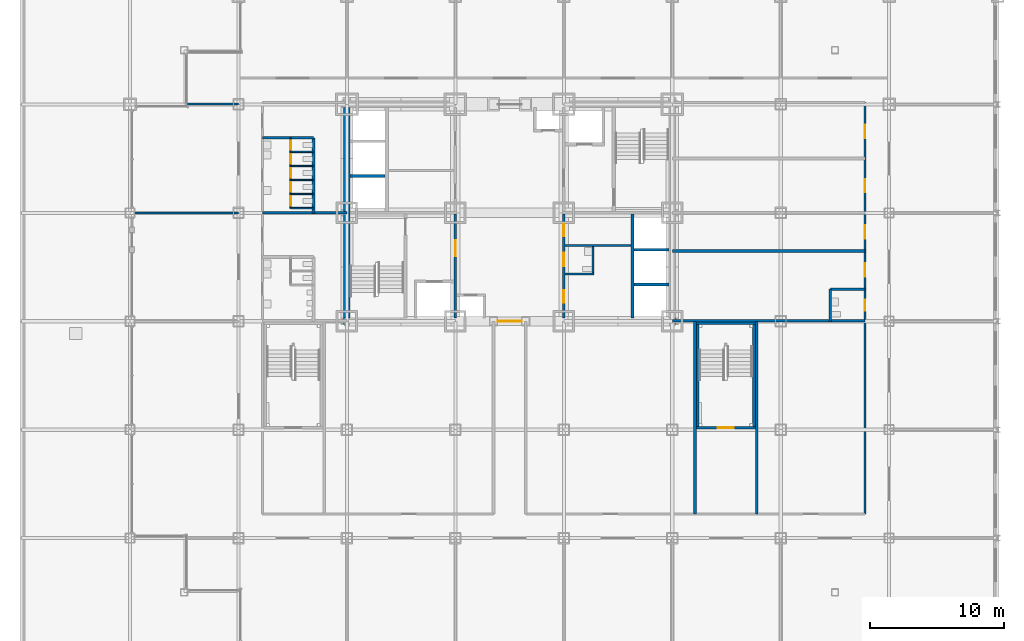
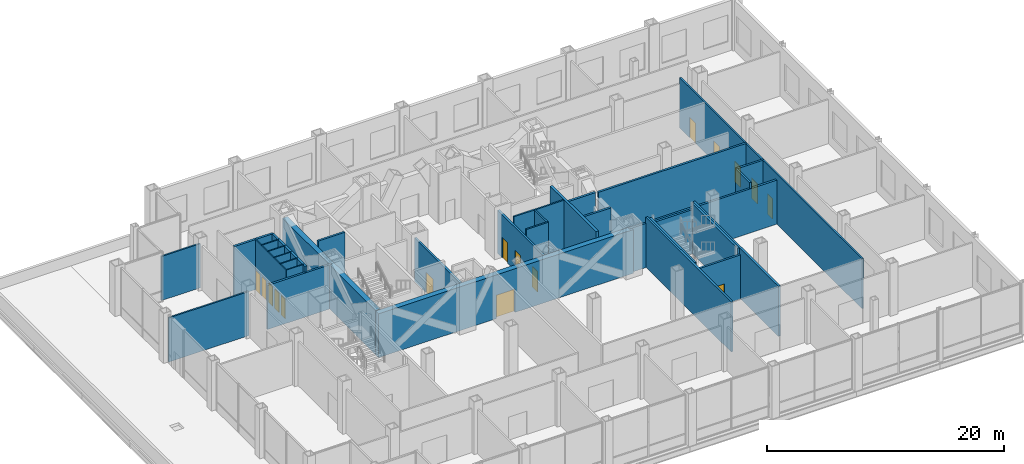
# One storey, part 20 of 26: 33 walls, 16 doors, 16 openings.
"""IFC4 building model written with IfcOpenShell, lengths in metres."""

from ifc_helpers import new_model, si_unit, direction, frame, frame_2d, origin, place, context, subcontext, project, spatial, rectangle, extrude, material, layer, layer_set, type_object, element, fill, save


model = new_model("IFC4")

# Units and contexts
model_context = context("Model", 3, precision=1e-05, world=origin(), true_north=direction((0.0, 1.0)))
body_context = subcontext(model_context, "Body", "Model", "MODEL_VIEW")
ifc_project = project(units=[si_unit("LENGTHUNIT", "METRE"), si_unit("AREAUNIT", "SQUARE_METRE"), si_unit("VOLUMEUNIT", "CUBIC_METRE"), si_unit("PLANEANGLEUNIT", "RADIAN"), si_unit("MASSUNIT", "GRAM", prefix="KILO")], contexts=[model_context])

# Site, building, storey
site_placement = place(None, origin())
site = spatial("IfcSite", under=ifc_project, at=site_placement, CompositionType="ELEMENT")
building_placement = place(site_placement, origin())
building = spatial("IfcBuilding", under=site, at=building_placement, Name="Kopane Lantern Tower", CompositionType="ELEMENT")
storey_placement = place(building_placement, frame((0.0, 0.0, 16.800048828125)))
storey = spatial("IfcBuildingStorey", under=building, at=storey_placement, Name="L03", CompositionType="ELEMENT", Elevation=16.800048828125)

# Wall, openings, doors
ifc_material_1 = material(Name="Moisture-resistant board on steel studs", Category="steel")
ifc_layer_1 = layer(ifc_material_1, 0.10009765625)
ifc_layer_set_1 = layer_set([ifc_layer_1], Name="BATHROOM WALL 100")
wall_type_1 = type_object("IfcWallType", Name="BATHROOM WALL 100", PredefinedType="PARTITIONING", material=ifc_layer_set_1)
wall_1_placement = place(storey_placement, frame((12.0, 32.75, 0.0), z_axis=(0.0, 0.0, 1.0), x_axis=(0.0, 1.0, 0.0)))
wall_1 = element("IfcWall", 1, at=wall_1_placement, inside=storey, type_object=wall_type_1, Name="Bathroom Wall 100 L03", PredefinedType="PARTITIONING", context=body_context, shape_type="SweptSolid", body=[
    extrude(rectangle(XDim=5.25, YDim=0.10009765625, at=frame_2d((2.625, 0.0))), origin(), (0.0, 0.0, 1.0), 5.14990234375),
])
opening_1_placement = place(wall_1_placement, frame((0.175048828125, 0.0, 0.0)))
opening_1 = element("IfcOpeningElement", 2, at=opening_1_placement, cuts=wall_1, Name="Opening L03-034", PredefinedType="OPENING", context=body_context, shape_type="SweptSolid", body=[
    extrude(rectangle(XDim=0.699951171875, YDim=2.0, at=frame_2d((0.35009765625, 1.0))), frame((0.0, 0.06005859375, 0.0), z_axis=(0.0, -1.0, 0.0), x_axis=(1.0, 0.0, 0.0)), (0.0, 0.0, 1.0), 0.1201171875),
])
opening_2_placement = place(wall_1_placement, frame((1.22509765625, 0.0, 0.0)))
opening_2 = element("IfcOpeningElement", 3, at=opening_2_placement, cuts=wall_1, Name="Opening L03-035", PredefinedType="OPENING", context=body_context, shape_type="SweptSolid", body=[
    extrude(rectangle(XDim=0.699951171875, YDim=2.0, at=frame_2d((0.35009765625, 1.0))), frame((0.0, 0.06005859375, 0.0), z_axis=(0.0, -1.0, 0.0), x_axis=(1.0, 0.0, 0.0)), (0.0, 0.0, 1.0), 0.1201171875),
])
opening_3_placement = place(wall_1_placement, frame((2.27490234375, 0.0, 0.0)))
opening_3 = element("IfcOpeningElement", 4, at=opening_3_placement, cuts=wall_1, Name="Opening L03-036", PredefinedType="OPENING", context=body_context, shape_type="SweptSolid", body=[
    extrude(rectangle(XDim=0.699951171875, YDim=2.0, at=frame_2d((0.35009765625, 1.0))), frame((0.0, 0.06005859375, 0.0), z_axis=(0.0, -1.0, 0.0), x_axis=(1.0, 0.0, 0.0)), (0.0, 0.0, 1.0), 0.1201171875),
])
opening_4_placement = place(wall_1_placement, frame((3.324951171875, 0.0, 0.0)))
opening_4 = element("IfcOpeningElement", 5, at=opening_4_placement, cuts=wall_1, Name="Opening L03-037", PredefinedType="OPENING", context=body_context, shape_type="SweptSolid", body=[
    extrude(rectangle(XDim=0.699951171875, YDim=2.0, at=frame_2d((0.35009765625, 1.0))), frame((0.0, 0.06005859375, 0.0), z_axis=(0.0, -1.0, 0.0), x_axis=(1.0, 0.0, 0.0)), (0.0, 0.0, 1.0), 0.1201171875),
])
opening_5_placement = place(wall_1_placement, frame((4.35009765625, 0.0, 0.0)))
opening_5 = element("IfcOpeningElement", 6, at=opening_5_placement, cuts=wall_1, Name="Opening L03-038", PredefinedType="OPENING", context=body_context, shape_type="SweptSolid", body=[
    extrude(rectangle(XDim=0.699951171875, YDim=2.0, at=frame_2d((0.35009765625, 1.0))), frame((0.0, 0.06005859375, 0.0), z_axis=(0.0, -1.0, 0.0), x_axis=(1.0, 0.0, 0.0)), (0.0, 0.0, 1.0), 0.1201171875),
])
ifc_material_2 = material(Name="Timber door set", Category="wood")
door_type_1 = type_object("IfcDoorType", Name="DOOR D13 700x2000 WC CUBICLE", OperationType="SINGLE_SWING_LEFT", PredefinedType="DOOR", material=ifc_material_2)
door_1_placement = place(opening_1_placement, origin())
door_1 = element("IfcDoor", 7, at=door_1_placement, inside=storey, type_object=door_type_1, Name="Door L03-034", OperationType="SINGLE_SWING_LEFT", OverallHeight=2.0, OverallWidth=0.699951171875, PredefinedType="DOOR", context=body_context, shape_type="SweptSolid", body=[
    extrude(rectangle(XDim=0.699951171875, YDim=2.0, at=frame_2d((0.35009765625, 1.0))), frame((0.0, 0.02490234375, 0.0), z_axis=(0.0, -1.0, 0.0), x_axis=(1.0, 0.0, 0.0)), (0.0, 0.0, 1.0), 0.050048828125),
])
fill(opening_1, door_1)
door_2_placement = place(opening_2_placement, origin())
door_2 = element("IfcDoor", 8, at=door_2_placement, inside=storey, type_object=door_type_1, Name="Door L03-035", OperationType="SINGLE_SWING_RIGHT", OverallHeight=2.0, OverallWidth=0.699951171875, PredefinedType="DOOR", context=body_context, shape_type="SweptSolid", body=[
    extrude(rectangle(XDim=0.699951171875, YDim=2.0, at=frame_2d((0.35009765625, 1.0))), frame((0.0, 0.02490234375, 0.0), z_axis=(0.0, -1.0, 0.0), x_axis=(1.0, 0.0, 0.0)), (0.0, 0.0, 1.0), 0.050048828125),
])
fill(opening_2, door_2)
door_3_placement = place(opening_3_placement, origin())
door_3 = element("IfcDoor", 9, at=door_3_placement, inside=storey, type_object=door_type_1, Name="Door L03-036", OperationType="SINGLE_SWING_LEFT", OverallHeight=2.0, OverallWidth=0.699951171875, PredefinedType="DOOR", context=body_context, shape_type="SweptSolid", body=[
    extrude(rectangle(XDim=0.699951171875, YDim=2.0, at=frame_2d((0.35009765625, 1.0))), frame((0.0, 0.02490234375, 0.0), z_axis=(0.0, -1.0, 0.0), x_axis=(1.0, 0.0, 0.0)), (0.0, 0.0, 1.0), 0.050048828125),
])
fill(opening_3, door_3)
door_4_placement = place(opening_4_placement, origin())
door_4 = element("IfcDoor", 10, at=door_4_placement, inside=storey, type_object=door_type_1, Name="Door L03-037", OperationType="SINGLE_SWING_RIGHT", OverallHeight=2.0, OverallWidth=0.699951171875, PredefinedType="DOOR", context=body_context, shape_type="SweptSolid", body=[
    extrude(rectangle(XDim=0.699951171875, YDim=2.0, at=frame_2d((0.35009765625, 1.0))), frame((0.0, 0.02490234375, 0.0), z_axis=(0.0, -1.0, 0.0), x_axis=(1.0, 0.0, 0.0)), (0.0, 0.0, 1.0), 0.050048828125),
])
fill(opening_4, door_4)
door_5_placement = place(opening_5_placement, origin())
door_5 = element("IfcDoor", 11, at=door_5_placement, inside=storey, type_object=door_type_1, Name="Door L03-038", OperationType="SINGLE_SWING_LEFT", OverallHeight=2.0, OverallWidth=0.699951171875, PredefinedType="DOOR", context=body_context, shape_type="SweptSolid", body=[
    extrude(rectangle(XDim=0.699951171875, YDim=2.0, at=frame_2d((0.35009765625, 1.0))), frame((0.0, 0.02490234375, 0.0), z_axis=(0.0, -1.0, 0.0), x_axis=(1.0, 0.0, 0.0)), (0.0, 0.0, 1.0), 0.050048828125),
])
fill(opening_5, door_5)

# Walls
for number, where, z_axis, x_axis, name in (
    (12, (12.0, 32.75, 0.0), (0.0, 0.0, 1.0), (1.0, 0.0, 0.0), "Bathroom Wall 100 L03"),
    (13, (12.0, 33.800048828125, 0.0), (0.0, 0.0, 1.0), (1.0, 0.0, 0.0), "Bathroom Wall 100 L03"),
    (14, (12.0, 34.85009765625, 0.0), (0.0, 0.0, 1.0), (1.0, 0.0, 0.0), "Bathroom Wall 100 L03"),
    (15, (12.0, 35.89990234375, 0.0), (0.0, 0.0, 1.0), (1.0, 0.0, 0.0), "Bathroom Wall 100 L03"),
    (16, (12.0, 36.949951171875, 0.0), (0.0, 0.0, 1.0), (1.0, 0.0, 0.0), "Bathroom Wall 100 L03"),
):
    element("IfcWall", number, at=place(storey_placement, frame(where, z_axis=z_axis, x_axis=x_axis)), inside=storey, type_object=wall_type_1, Name=name, PredefinedType="PARTITIONING", context=body_context, shape_type="SweptSolid", body=[
        extrude(rectangle(XDim=1.699951171875, YDim=0.10009765625, at=frame_2d((0.85009765625, 0.0))), origin(), (0.0, 0.0, 1.0), 5.14990234375),
    ])

# Wall, opening, door
ifc_material_3 = material(Name="Gypsum shaft wall EI 120", Category="gypsum")
ifc_layer_2 = layer(ifc_material_3, 0.5)
ifc_layer_set_2 = layer_set([ifc_layer_2], Name="CORE PERIMETER WALL 500 EI 120")
wall_type_2 = type_object("IfcWallType", Name="CORE PERIMETER WALL 500 EI 120", PredefinedType="SOLIDWALL", material=ifc_layer_set_2)
wall_2_placement = place(storey_placement, frame((15.949951171875, 24.300048828125, 0.0), z_axis=(0.0, 0.0, 1.0), x_axis=(1.0, 0.0, 0.0)))
wall_2 = element("IfcWall", 17, at=wall_2_placement, inside=storey, type_object=wall_type_2, Name="Core shaft wall L03 PS", PredefinedType="SOLIDWALL", context=body_context, shape_type="SweptSolid", body=[
    extrude(rectangle(XDim=24.800048828125, YDim=0.5, at=frame_2d((12.39990234375, 0.0))), origin(), (0.0, 0.0, 1.0), 4.5),
])
opening_6_placement = place(wall_2_placement, frame((11.5, 0.0, 0.0)))
opening_6 = element("IfcOpeningElement", 18, at=opening_6_placement, cuts=wall_2, Name="Opening 03.CE-S", PredefinedType="OPENING", context=body_context, shape_type="SweptSolid", body=[
    extrude(rectangle(XDim=1.800048828125, YDim=2.39990234375, at=frame_2d((0.89990234375, 1.199951171875))), frame((0.0, 0.260009765625, 0.0), z_axis=(0.0, -1.0, 0.0), x_axis=(1.0, 0.0, 0.0)), (0.0, 0.0, 1.0), 0.52001953125),
])
ifc_material_4 = material(Name="Steel door set", Category="steel")
door_type_2 = type_object("IfcDoorType", Name="CORE ENTRY DOOR 1800x2400 FD60S", OperationType="DOUBLE_DOOR_SINGLE_SWING", PredefinedType="DOOR", material=ifc_material_4)
door_6_placement = place(opening_6_placement, origin())
door_6 = element("IfcDoor", 19, at=door_6_placement, inside=storey, type_object=door_type_2, Name="Core entry door L03 south", OperationType="DOUBLE_DOOR_SINGLE_SWING", OverallHeight=2.39990234375, OverallWidth=1.800048828125, PredefinedType="DOOR", context=body_context, shape_type="SweptSolid", body=[
    extrude(rectangle(XDim=1.800048828125, YDim=2.39990234375, at=frame_2d((0.89990234375, 1.199951171875))), frame((0.0, 0.02490234375, 0.0), z_axis=(0.0, -1.0, 0.0), x_axis=(1.0, 0.0, 0.0)), (0.0, 0.0, 1.0), 0.050048828125),
])
fill(opening_6, door_6)

# Walls
wall_3_placement = place(storey_placement, frame((16.199951171875, 24.550048828125, 0.0), z_axis=(0.0, 0.0, 1.0), x_axis=(0.0, 1.0, 0.0)))
element("IfcWall", 20, at=wall_3_placement, inside=storey, type_object=wall_type_2, Name="Core shaft wall L03 PW", PredefinedType="SOLIDWALL", context=body_context, shape_type="SweptSolid", body=[
    extrude(rectangle(XDim=15.699951171875, YDim=0.5, at=frame_2d((7.85009765625, 0.0))), origin(), (0.0, 0.0, 1.0), 4.537841796875),
])
ifc_material_5 = material(Name="Gypsum partition EI 60", Category="gypsum")
ifc_layer_3 = layer(ifc_material_5, 0.14990234375)
ifc_layer_set_3 = layer_set([ifc_layer_3], Name="CORE ROOM PARTITION 150 EI 60")
wall_type_3 = type_object("IfcWallType", Name="CORE ROOM PARTITION 150 EI 60", PredefinedType="PARTITIONING", material=ifc_layer_set_3)
wall_4_placement = place(storey_placement, frame((32.5, 27.824951171875, 0.0), z_axis=(0.0, 0.0, 1.0), x_axis=(1.0, 0.0, 0.0)))
element("IfcWall", 21, at=wall_4_placement, inside=storey, type_object=wall_type_3, Name="Core room partition L03 E1", PredefinedType="PARTITIONING", context=body_context, shape_type="SweptSolid", body=[
    extrude(rectangle(XDim=2.14990234375, YDim=0.14990234375, at=frame_2d((1.074951171875, 0.0))), origin(), (0.0, 0.0, 1.0), 5.14990234375),
])
wall_5_placement = place(storey_placement, frame((32.5, 29.97509765625, 0.0), z_axis=(0.0, 0.0, 1.0), x_axis=(1.0, 0.0, 0.0)))
element("IfcWall", 22, at=wall_5_placement, inside=storey, type_object=wall_type_3, Name="Core room partition L03 E2", PredefinedType="PARTITIONING", context=body_context, shape_type="SweptSolid", body=[
    extrude(rectangle(XDim=4.89990234375, YDim=0.14990234375, at=frame_2d((2.449951171875, 0.0))), origin(), (0.0, 0.0, 1.0), 5.14990234375),
])
wall_6_placement = place(storey_placement, frame((34.574951171875, 27.89990234375, 0.0), z_axis=(0.0, 0.0, 1.0), x_axis=(0.0, 1.0, 0.0)))
element("IfcWall", 23, at=wall_6_placement, inside=storey, type_object=wall_type_3, Name="Core room partition L03 EB1", PredefinedType="PARTITIONING", context=body_context, shape_type="SweptSolid", body=[
    extrude(rectangle(XDim=2.0, YDim=0.14990234375, at=frame_2d((1.0, 0.0))), origin(), (0.0, 0.0, 1.0), 5.14990234375),
])

# Wall, openings, doors
ifc_material_6 = material(Name="Gypsum partition EI 60", Category="gypsum")
ifc_layer_4 = layer(ifc_material_6, 0.199951171875)
ifc_layer_set_4 = layer_set([ifc_layer_4], Name="CORE ROOM WALL 200 EI 60")
wall_type_4 = type_object("IfcWallType", Name="CORE ROOM WALL 200 EI 60", PredefinedType="PARTITIONING", material=ifc_layer_set_4)
wall_7_placement = place(storey_placement, frame((32.39990234375, 24.550048828125, 0.0), z_axis=(0.0, 0.0, 1.0), x_axis=(0.0, 1.0, 0.0)))
wall_7 = element("IfcWall", 24, at=wall_7_placement, inside=storey, type_object=wall_type_4, Name="Core room wall L03 XE", PredefinedType="PARTITIONING", context=body_context, shape_type="SweptSolid", body=[
    extrude(rectangle(XDim=7.75, YDim=0.199951171875, at=frame_2d((3.875, 0.0))), origin(), (0.0, 0.0, 1.0), 4.449951171875),
])
opening_7_placement = place(wall_7_placement, frame((1.14990234375, 0.0, 0.0)))
opening_7 = element("IfcOpeningElement", 25, at=opening_7_placement, cuts=wall_7, Name="Opening 03.C20", PredefinedType="OPENING", context=body_context, shape_type="SweptSolid", body=[
    extrude(rectangle(XDim=0.89990234375, YDim=2.10009765625, at=frame_2d((0.449951171875, 1.050048828125))), frame((0.0, 0.10986328125, 0.0), z_axis=(0.0, -1.0, 0.0), x_axis=(1.0, 0.0, 0.0)), (0.0, 0.0, 1.0), 0.219970703125),
])
opening_8_placement = place(wall_7_placement, frame((3.85009765625, 0.0, 0.0)))
opening_8 = element("IfcOpeningElement", 26, at=opening_8_placement, cuts=wall_7, Name="Opening 03.C21", PredefinedType="OPENING", context=body_context, shape_type="SweptSolid", body=[
    extrude(rectangle(XDim=1.0, YDim=2.10009765625, at=frame_2d((0.5, 1.050048828125))), frame((0.0, 0.10986328125, 0.0), z_axis=(0.0, -1.0, 0.0), x_axis=(1.0, 0.0, 0.0)), (0.0, 0.0, 1.0), 0.219970703125),
])
opening_9_placement = place(wall_7_placement, frame((6.10009765625, 0.0, 0.0)))
opening_9 = element("IfcOpeningElement", 27, at=opening_9_placement, cuts=wall_7, Name="Opening 03.C22", PredefinedType="OPENING", context=body_context, shape_type="SweptSolid", body=[
    extrude(rectangle(XDim=0.89990234375, YDim=2.10009765625, at=frame_2d((0.449951171875, 1.050048828125))), frame((0.0, 0.10986328125, 0.0), z_axis=(0.0, -1.0, 0.0), x_axis=(1.0, 0.0, 0.0)), (0.0, 0.0, 1.0), 0.219970703125),
])
ifc_material_7 = material(Name="Steel door set", Category="steel")
door_type_3 = type_object("IfcDoorType", Name="CORE ROOM DOOR 1000x2100 FD30S", OperationType="SINGLE_SWING_RIGHT", PredefinedType="DOOR", material=ifc_material_7)
door_7_placement = place(opening_8_placement, origin())
door_7 = element("IfcDoor", 28, at=door_7_placement, inside=storey, type_object=door_type_3, Name="Door Staff WC L03", OperationType="SINGLE_SWING_LEFT", OverallHeight=2.10009765625, OverallWidth=1.0, PredefinedType="DOOR", context=body_context, shape_type="SweptSolid", body=[
    extrude(rectangle(XDim=1.0, YDim=2.10009765625, at=frame_2d((0.5, 1.050048828125))), frame((0.0, 0.02490234375, 0.0), z_axis=(0.0, -1.0, 0.0), x_axis=(1.0, 0.0, 0.0)), (0.0, 0.0, 1.0), 0.050048828125),
])
fill(opening_8, door_7)
ifc_material_8 = material(Name="Steel door set", Category="steel")
door_type_4 = type_object("IfcDoorType", Name="CORE ROOM DOOR 900x2100 FD60", OperationType="SINGLE_SWING_LEFT", PredefinedType="DOOR", material=ifc_material_8)
door_8_placement = place(opening_7_placement, origin())
door_8 = element("IfcDoor", 29, at=door_8_placement, inside=storey, type_object=door_type_4, Name="Door Retail store L03", OperationType="SINGLE_SWING_LEFT", OverallHeight=2.10009765625, OverallWidth=0.89990234375, PredefinedType="DOOR", context=body_context, shape_type="SweptSolid", body=[
    extrude(rectangle(XDim=0.89990234375, YDim=2.10009765625, at=frame_2d((0.449951171875, 1.050048828125))), frame((0.0, 0.02490234375, 0.0), z_axis=(0.0, -1.0, 0.0), x_axis=(1.0, 0.0, 0.0)), (0.0, 0.0, 1.0), 0.050048828125),
])
fill(opening_7, door_8)
door_9_placement = place(opening_9_placement, origin())
door_9 = element("IfcDoor", 30, at=door_9_placement, inside=storey, type_object=door_type_4, Name="Door IT room L03", OperationType="SINGLE_SWING_RIGHT", OverallHeight=2.10009765625, OverallWidth=0.89990234375, PredefinedType="DOOR", context=body_context, shape_type="SweptSolid", body=[
    extrude(rectangle(XDim=0.89990234375, YDim=2.10009765625, at=frame_2d((0.449951171875, 1.050048828125))), frame((0.0, 0.02490234375, 0.0), z_axis=(0.0, -1.0, 0.0), x_axis=(1.0, 0.0, 0.0)), (0.0, 0.0, 1.0), 0.050048828125),
])
fill(opening_9, door_9)

# Wall
ifc_material_9 = material(Name="Gypsum shaft wall EI 120", Category="gypsum")
ifc_layer_5 = layer(ifc_material_9, 0.25)
ifc_layer_set_5 = layer_set([ifc_layer_5], Name="CORE SHAFT WALL 250 EI 120")
wall_type_5 = type_object("IfcWallType", Name="CORE SHAFT WALL 250 EI 120", PredefinedType="SOLIDWALL", material=ifc_layer_set_5)
wall_8_placement = place(storey_placement, frame((37.52490234375, 24.550048828125, 0.0), z_axis=(0.0, 0.0, 1.0), x_axis=(0.0, 1.0, 0.0)))
element("IfcWall", 31, at=wall_8_placement, inside=storey, type_object=wall_type_5, Name="Core shaft wall L03 XLR", PredefinedType="SOLIDWALL", context=body_context, shape_type="SweptSolid", body=[
    extrude(rectangle(XDim=7.75, YDim=0.25, at=frame_2d((3.875, 0.0))), origin(), (0.0, 0.0, 1.0), 5.14990234375),
])

# Wall, openings, doors
ifc_material_10 = material(Name="Gypsum board on steel studs", Category="steel")
ifc_layer_6 = layer(ifc_material_10, 0.14990234375)
ifc_layer_set_6 = layer_set([ifc_layer_6], Name="CORRIDOR WALL 150 EI 60")
wall_type_6 = type_object("IfcWallType", Name="CORRIDOR WALL 150 EI 60", PredefinedType="PARTITIONING", material=ifc_layer_set_6)
wall_9_placement = place(storey_placement, frame((54.89990234375, 9.89990234375, 0.0), z_axis=(0.0, 0.0, 1.0), x_axis=(0.0, 1.0, 0.0)))
wall_9 = element("IfcWall", 32, at=wall_9_placement, inside=storey, type_object=wall_type_6, Name="Corridor Wall 150 Ei 60 L03", PredefinedType="PARTITIONING", context=body_context, shape_type="SweptSolid", body=[
    extrude(rectangle(XDim=30.75, YDim=0.14990234375, at=frame_2d((15.375, 0.0))), origin(), (0.0, 0.0, 1.0), 5.14990234375),
])
opening_10_placement = place(wall_9_placement, frame((15.175048828125, 0.0, 0.0)))
opening_10 = element("IfcOpeningElement", 33, at=opening_10_placement, cuts=wall_9, Name="Opening L03-005", PredefinedType="OPENING", context=body_context, shape_type="SweptSolid", body=[
    extrude(rectangle(XDim=0.85009765625, YDim=2.10009765625, at=frame_2d((0.425048828125, 1.050048828125))), frame((0.0, 0.0849609375, 0.0), z_axis=(0.0, -1.0, 0.0), x_axis=(1.0, 0.0, 0.0)), (0.0, 0.0, 1.0), 0.169921875),
])
opening_11_placement = place(wall_9_placement, frame((17.72509765625, 0.0, 0.0)))
opening_11 = element("IfcOpeningElement", 34, at=opening_11_placement, cuts=wall_9, Name="Opening L03-006", PredefinedType="OPENING", context=body_context, shape_type="SweptSolid", body=[
    extrude(rectangle(XDim=1.0, YDim=2.10009765625, at=frame_2d((0.5, 1.050048828125))), frame((0.0, 0.0849609375, 0.0), z_axis=(0.0, -1.0, 0.0), x_axis=(1.0, 0.0, 0.0)), (0.0, 0.0, 1.0), 0.169921875),
])
opening_12_placement = place(wall_9_placement, frame((20.574951171875, 0.0, 0.0)))
opening_12 = element("IfcOpeningElement", 35, at=opening_12_placement, cuts=wall_9, Name="Opening L03-007", PredefinedType="OPENING", context=body_context, shape_type="SweptSolid", body=[
    extrude(rectangle(XDim=1.0, YDim=2.10009765625, at=frame_2d((0.5, 1.050048828125))), frame((0.0, 0.0849609375, 0.0), z_axis=(0.0, -1.0, 0.0), x_axis=(1.0, 0.0, 0.0)), (0.0, 0.0, 1.0), 0.169921875),
])
opening_13_placement = place(wall_9_placement, frame((24.02490234375, 0.0, 0.0)))
opening_13 = element("IfcOpeningElement", 36, at=opening_13_placement, cuts=wall_9, Name="Opening L03-008", PredefinedType="OPENING", context=body_context, shape_type="SweptSolid", body=[
    extrude(rectangle(XDim=1.0, YDim=2.10009765625, at=frame_2d((0.5, 1.050048828125))), frame((0.0, 0.0849609375, 0.0), z_axis=(0.0, -1.0, 0.0), x_axis=(1.0, 0.0, 0.0)), (0.0, 0.0, 1.0), 0.169921875),
])
opening_14_placement = place(wall_9_placement, frame((28.074951171875, 0.0, 0.0)))
opening_14 = element("IfcOpeningElement", 37, at=opening_14_placement, cuts=wall_9, Name="Opening L03-009", PredefinedType="OPENING", context=body_context, shape_type="SweptSolid", body=[
    extrude(rectangle(XDim=1.0, YDim=2.10009765625, at=frame_2d((0.5, 1.050048828125))), frame((0.0, 0.0849609375, 0.0), z_axis=(0.0, -1.0, 0.0), x_axis=(1.0, 0.0, 0.0)), (0.0, 0.0, 1.0), 0.169921875),
])
ifc_material_11 = material(Name="Timber door set", Category="wood")
door_type_5 = type_object("IfcDoorType", Name="DOOR D4 850x2100", OperationType="SINGLE_SWING_LEFT", PredefinedType="DOOR", material=ifc_material_11)
door_10_placement = place(opening_10_placement, origin())
door_10 = element("IfcDoor", 38, at=door_10_placement, inside=storey, type_object=door_type_5, Name="Door L03-005", OperationType="SINGLE_SWING_LEFT", OverallHeight=2.10009765625, OverallWidth=0.85009765625, PredefinedType="DOOR", context=body_context, shape_type="SweptSolid", body=[
    extrude(rectangle(XDim=0.85009765625, YDim=2.10009765625, at=frame_2d((0.425048828125, 1.050048828125))), frame((0.0, 0.02490234375, 0.0), z_axis=(0.0, -1.0, 0.0), x_axis=(1.0, 0.0, 0.0)), (0.0, 0.0, 1.0), 0.050048828125),
])
fill(opening_10, door_10)
ifc_material_12 = material(Name="Steel door set", Category="steel")
door_type_6 = type_object("IfcDoorType", Name="DOOR D5 1000x2100 FD60", OperationType="SINGLE_SWING_LEFT", PredefinedType="DOOR", material=ifc_material_12)
door_11_placement = place(opening_11_placement, origin())
door_11 = element("IfcDoor", 39, at=door_11_placement, inside=storey, type_object=door_type_6, Name="Door L03-006", OperationType="SINGLE_SWING_RIGHT", OverallHeight=2.10009765625, OverallWidth=1.0, PredefinedType="DOOR", context=body_context, shape_type="SweptSolid", body=[
    extrude(rectangle(XDim=1.0, YDim=2.10009765625, at=frame_2d((0.5, 1.050048828125))), frame((0.0, 0.02490234375, 0.0), z_axis=(0.0, -1.0, 0.0), x_axis=(1.0, 0.0, 0.0)), (0.0, 0.0, 1.0), 0.050048828125),
])
fill(opening_11, door_11)
door_12_placement = place(opening_12_placement, origin())
door_12 = element("IfcDoor", 40, at=door_12_placement, inside=storey, type_object=door_type_6, Name="Door L03-007", OperationType="SINGLE_SWING_LEFT", OverallHeight=2.10009765625, OverallWidth=1.0, PredefinedType="DOOR", context=body_context, shape_type="SweptSolid", body=[
    extrude(rectangle(XDim=1.0, YDim=2.10009765625, at=frame_2d((0.5, 1.050048828125))), frame((0.0, 0.02490234375, 0.0), z_axis=(0.0, -1.0, 0.0), x_axis=(1.0, 0.0, 0.0)), (0.0, 0.0, 1.0), 0.050048828125),
])
fill(opening_12, door_12)
door_13_placement = place(opening_13_placement, origin())
door_13 = element("IfcDoor", 41, at=door_13_placement, inside=storey, type_object=door_type_6, Name="Door L03-008", OperationType="SINGLE_SWING_RIGHT", OverallHeight=2.10009765625, OverallWidth=1.0, PredefinedType="DOOR", context=body_context, shape_type="SweptSolid", body=[
    extrude(rectangle(XDim=1.0, YDim=2.10009765625, at=frame_2d((0.5, 1.050048828125))), frame((0.0, 0.02490234375, 0.0), z_axis=(0.0, -1.0, 0.0), x_axis=(1.0, 0.0, 0.0)), (0.0, 0.0, 1.0), 0.050048828125),
])
fill(opening_13, door_13)
door_14_placement = place(opening_14_placement, origin())
door_14 = element("IfcDoor", 42, at=door_14_placement, inside=storey, type_object=door_type_6, Name="Door L03-009", OperationType="SINGLE_SWING_LEFT", OverallHeight=2.10009765625, OverallWidth=1.0, PredefinedType="DOOR", context=body_context, shape_type="SweptSolid", body=[
    extrude(rectangle(XDim=1.0, YDim=2.10009765625, at=frame_2d((0.5, 1.050048828125))), frame((0.0, 0.02490234375, 0.0), z_axis=(0.0, -1.0, 0.0), x_axis=(1.0, 0.0, 0.0)), (0.0, 0.0, 1.0), 0.050048828125),
])
fill(opening_14, door_14)

# Walls
ifc_material_13 = material(Name="Gypsum board on steel studs", Category="steel")
ifc_layer_7 = layer(ifc_material_13, 0.14990234375)
ifc_layer_set_7 = layer_set([ifc_layer_7], Name="DEMISING WALL 150 EI 60")
wall_type_7 = type_object("IfcWallType", Name="DEMISING WALL 150 EI 60", PredefinedType="PARTITIONING", material=ifc_layer_set_7)
wall_10_placement = place(storey_placement, frame((8.10009765625, 32.39990234375, 0.0), z_axis=(0.0, 0.0, 1.0), x_axis=(-1.0, 0.0, 0.0)))
element("IfcWall", 43, at=wall_10_placement, inside=storey, type_object=wall_type_7, Name="Demising Wall 150 Ei 60 L03", PredefinedType="PARTITIONING", context=body_context, shape_type="SweptSolid", body=[
    extrude(rectangle(XDim=7.800048828125, YDim=0.14990234375, at=frame_2d((3.89990234375, 0.0))), origin(), (0.0, 0.0, 1.0), 4.537841796875),
])
wall_11_placement = place(storey_placement, frame((4.29296875, 40.530029296875, 0.0), z_axis=(0.0, 0.0, 1.0), x_axis=(1.0, 0.0, 0.0)))
element("IfcWall", 44, at=wall_11_placement, inside=storey, type_object=wall_type_7, Name="Demising Wall 150 Ei 60 L03", PredefinedType="PARTITIONING", context=body_context, shape_type="SweptSolid", body=[
    extrude(rectangle(XDim=3.80712890625, YDim=0.14990234375, at=frame_2d((1.903564453125, 0.0))), origin(), (0.0, 0.0, 1.0), 4.537841796875),
])
ifc_material_14 = material(Name="Concrete masonry", Category="masonry")
ifc_layer_8 = layer(ifc_material_14, 0.199951171875)
ifc_layer_set_8 = layer_set([ifc_layer_8], Name="PLANT ROOM WALL 200 EI 120")
wall_type_8 = type_object("IfcWallType", Name="PLANT ROOM WALL 200 EI 120", PredefinedType="SOLIDWALL", material=ifc_layer_set_8)
wall_12_placement = place(storey_placement, frame((9.89990234375, 32.39990234375, 0.0), z_axis=(0.0, 0.0, 1.0), x_axis=(1.0, 0.0, 0.0)))
element("IfcWall", 45, at=wall_12_placement, inside=storey, type_object=wall_type_8, Name="Plant Room Wall 200 Ei 120 L03", PredefinedType="SOLIDWALL", context=body_context, shape_type="SweptSolid", body=[
    extrude(rectangle(XDim=6.300048828125, YDim=0.199951171875, at=frame_2d((3.14990234375, 0.0))), origin(), (0.0, 0.0, 1.0), 4.537841796875),
])
wall_13_placement = place(storey_placement, frame((9.89990234375, 38.0, 0.0), z_axis=(0.0, 0.0, 1.0), x_axis=(1.0, 0.0, 0.0)))
element("IfcWall", 46, at=wall_13_placement, inside=storey, type_object=wall_type_8, Name="Plant Room Wall 200 Ei 120 L03", PredefinedType="SOLIDWALL", context=body_context, shape_type="SweptSolid", body=[
    extrude(rectangle(XDim=3.800048828125, YDim=0.199951171875, at=frame_2d((1.89990234375, 0.0))), origin(), (0.0, 0.0, 1.0), 5.14990234375),
])
wall_14_placement = place(storey_placement, frame((13.699951171875, 32.39990234375, 0.0), z_axis=(0.0, 0.0, 1.0), x_axis=(0.0, 1.0, 0.0)))
element("IfcWall", 47, at=wall_14_placement, inside=storey, type_object=wall_type_8, Name="Plant Room Wall 200 Ei 120 L03", PredefinedType="SOLIDWALL", context=body_context, shape_type="SweptSolid", body=[
    extrude(rectangle(XDim=5.60009765625, YDim=0.199951171875, at=frame_2d((2.800048828125, 0.0))), origin(), (0.0, 0.0, 1.0), 5.14990234375),
])
wall_15_placement = place(storey_placement, frame((54.89990234375, 26.699951171875, 0.0), z_axis=(0.0, 0.0, 1.0), x_axis=(-1.0, 0.0, 0.0)))
element("IfcWall", 48, at=wall_15_placement, inside=storey, type_object=wall_type_8, Name="Plant Room Wall 200 Ei 120 L03", PredefinedType="SOLIDWALL", context=body_context, shape_type="SweptSolid", body=[
    extrude(rectangle(XDim=2.599853515625, YDim=0.199951171875, at=frame_2d((1.2998046875, 0.0))), origin(), (0.0, 0.0, 1.0), 5.14990234375),
])
wall_16_placement = place(storey_placement, frame((52.300048828125, 24.300048828125, 0.0), z_axis=(0.0, 0.0, 1.0), x_axis=(0.0, 1.0, 0.0)))
element("IfcWall", 49, at=wall_16_placement, inside=storey, type_object=wall_type_8, Name="Plant Room Wall 200 Ei 120 L03", PredefinedType="SOLIDWALL", context=body_context, shape_type="SweptSolid", body=[
    extrude(rectangle(XDim=2.39990234375, YDim=0.199951171875, at=frame_2d((1.199951171875, 0.0))), origin(), (0.0, 0.0, 1.0), 5.14990234375),
])
wall_17_placement = place(storey_placement, frame((54.89990234375, 29.550048828125, 0.0), z_axis=(0.0, 0.0, 1.0), x_axis=(-1.0, 0.0, 0.0)))
element("IfcWall", 50, at=wall_17_placement, inside=storey, type_object=wall_type_8, Name="Plant Room Wall 200 Ei 120 L03", PredefinedType="SOLIDWALL", context=body_context, shape_type="SweptSolid", body=[
    extrude(rectangle(XDim=14.39990234375, YDim=0.199951171875, at=frame_2d((7.199951171875, 0.0))), origin(), (0.0, 0.0, 1.0), 5.14990234375),
])
for number, where, z_axis, x_axis, name in (
    (51, (42.199951171875, 9.89990234375, 0.0), (0.0, 0.0, 1.0), (0.0, 1.0, 0.0), "Plant Room Wall 200 Ei 120 L03"),
    (52, (46.800048828125, 9.89990234375, 0.0), (0.0, 0.0, 1.0), (0.0, 1.0, 0.0), "Plant Room Wall 200 Ei 120 L03"),
):
    element("IfcWall", number, at=place(storey_placement, frame(where, z_axis=z_axis, x_axis=x_axis)), inside=storey, type_object=wall_type_8, Name=name, PredefinedType="SOLIDWALL", context=body_context, shape_type="SweptSolid", body=[
        extrude(rectangle(XDim=14.400146484375, YDim=0.199951171875, at=frame_2d((7.2001953125, 0.0))), origin(), (0.0, 0.0, 1.0), 5.14990234375),
    ])
wall_18_placement = place(storey_placement, frame((40.5, 24.35009765625, 0.0), z_axis=(0.0, 0.0, 1.0), x_axis=(1.0, 0.0, 0.0)))
element("IfcWall", 53, at=wall_18_placement, inside=storey, type_object=wall_type_8, Name="Plant Room Wall 200 Ei 120 L03", PredefinedType="SOLIDWALL", context=body_context, shape_type="SweptSolid", body=[
    extrude(rectangle(XDim=14.39990234375, YDim=0.199951171875, at=frame_2d((7.199951171875, 0.0))), origin(), (0.0, 0.0, 1.0), 4.537841796875),
])

# Wall, opening, door
ifc_material_15 = material(Name="Gypsum shaft wall EI 120", Category="gypsum")
ifc_layer_9 = layer(ifc_material_15, 0.199951171875)
ifc_layer_set_9 = layer_set([ifc_layer_9], Name="SHAFT WALL 200 EI 120")
wall_type_9 = type_object("IfcWallType", Name="SHAFT WALL 200 EI 120", PredefinedType="SOLIDWALL", material=ifc_layer_set_9)
wall_19_placement = place(storey_placement, frame((24.300048828125, 24.550048828125, 0.0), z_axis=(0.0, 0.0, 1.0), x_axis=(0.0, 1.0, 0.0)))
wall_19 = element("IfcWall", 54, at=wall_19_placement, inside=storey, type_object=wall_type_9, Name="Core shaft wall L03 X243", PredefinedType="SOLIDWALL", context=body_context, shape_type="SweptSolid", body=[
    extrude(rectangle(XDim=7.75, YDim=0.199951171875, at=frame_2d((3.875, 0.0))), origin(), (0.0, 0.0, 1.0), 4.449951171875),
])
opening_15_placement = place(wall_19_placement, frame((4.60009765625, 0.0, 0.0)))
opening_15 = element("IfcOpeningElement", 55, at=opening_15_placement, cuts=wall_19, Name="Opening 03.FL1", PredefinedType="OPENING", context=body_context, shape_type="SweptSolid", body=[
    extrude(rectangle(XDim=1.199951171875, YDim=2.10009765625, at=frame_2d((0.60009765625, 1.050048828125))), frame((0.0, 0.10986328125, 0.0), z_axis=(0.0, -1.0, 0.0), x_axis=(1.0, 0.0, 0.0)), (0.0, 0.0, 1.0), 0.219970703125),
])
ifc_material_16 = material(Name="Steel door set", Category="steel")
door_type_7 = type_object("IfcDoorType", Name="FIREFIGHTING LOBBY DOOR 1200x2100 FD60S", OperationType="SINGLE_SWING_RIGHT", PredefinedType="DOOR", material=ifc_material_16)
door_15_placement = place(opening_15_placement, origin())
door_15 = element("IfcDoor", 56, at=door_15_placement, inside=storey, type_object=door_type_7, Name="Firefighting lobby door FL1 L03", OperationType="SINGLE_SWING_LEFT", OverallHeight=2.10009765625, OverallWidth=1.199951171875, PredefinedType="DOOR", context=body_context, shape_type="SweptSolid", body=[
    extrude(rectangle(XDim=1.199951171875, YDim=2.10009765625, at=frame_2d((0.60009765625, 1.050048828125))), frame((0.0, 0.02490234375, 0.0), z_axis=(0.0, -1.0, 0.0), x_axis=(1.0, 0.0, 0.0)), (0.0, 0.0, 1.0), 0.050048828125),
])
fill(opening_15, door_15)

# Walls
for number, where, z_axis, x_axis, name in (
    (57, (16.449951171875, 35.14990234375, 0.0), (0.0, 0.0, 1.0), (1.0, 0.0, 0.0), "Core shaft wall L03 YLH12"),
    (58, (37.64990234375, 27.050048828125, 0.0), (0.0, 0.0, 1.0), (1.0, 0.0, 0.0), "Core shaft wall L03 YLR12"),
    (59, (37.64990234375, 29.64990234375, 0.0), (0.0, 0.0, 1.0), (1.0, 0.0, 0.0), "Core shaft wall L03 YLR23"),
):
    element("IfcWall", number, at=place(storey_placement, frame(where, z_axis=z_axis, x_axis=x_axis)), inside=storey, type_object=wall_type_9, Name=name, PredefinedType="SOLIDWALL", context=body_context, shape_type="SweptSolid", body=[
        extrude(rectangle(XDim=2.60009765625, YDim=0.199951171875, at=frame_2d((1.300048828125, 0.0))), origin(), (0.0, 0.0, 1.0), 5.14990234375),
    ])

# Wall, opening, door
wall_20_placement = place(storey_placement, frame((42.300048828125, 16.35009765625, 0.0), z_axis=(0.0, 0.0, 1.0), x_axis=(1.0, 0.0, 0.0)))
wall_20 = element("IfcWall", 60, at=wall_20_placement, inside=storey, type_object=wall_type_9, Name="Stair enclosure wall ST4 L03", PredefinedType="SOLIDWALL", context=body_context, shape_type="SweptSolid", body=[
    extrude(rectangle(XDim=4.39990234375, YDim=0.199951171875, at=frame_2d((2.199951171875, 0.0))), origin(), (0.0, 0.0, 1.0), 4.537841796875),
])
opening_16_placement = place(wall_20_placement, frame((1.60009765625, 0.0, 0.0)))
opening_16 = element("IfcOpeningElement", 61, at=opening_16_placement, cuts=wall_20, Name="Opening 03.SD4", PredefinedType="OPENING", context=body_context, shape_type="SweptSolid", body=[
    extrude(rectangle(XDim=1.199951171875, YDim=2.10009765625, at=frame_2d((0.60009765625, 1.050048828125))), frame((0.0, 0.10986328125, 0.0), z_axis=(0.0, -1.0, 0.0), x_axis=(1.0, 0.0, 0.0)), (0.0, 0.0, 1.0), 0.219970703125),
])
ifc_material_17 = material(Name="Steel door set", Category="steel")
door_type_8 = type_object("IfcDoorType", Name="STAIR DOOR 1200x2100 FD60S", OperationType="SINGLE_SWING_LEFT", PredefinedType="DOOR", material=ifc_material_17)
door_16_placement = place(opening_16_placement, origin())
door_16 = element("IfcDoor", 62, at=door_16_placement, inside=storey, type_object=door_type_8, Name="Stair door ST4 L03", OperationType="SINGLE_SWING_LEFT", OverallHeight=2.10009765625, OverallWidth=1.199951171875, PredefinedType="DOOR", context=body_context, shape_type="SweptSolid", body=[
    extrude(rectangle(XDim=1.199951171875, YDim=2.10009765625, at=frame_2d((0.60009765625, 1.050048828125))), frame((0.0, 0.02490234375, 0.0), z_axis=(0.0, -1.0, 0.0), x_axis=(1.0, 0.0, 0.0)), (0.0, 0.0, 1.0), 0.050048828125),
])
fill(opening_16, door_16)

# Walls
wall_21_placement = place(storey_placement, frame((42.300048828125, 24.14990234375, 0.0), z_axis=(0.0, 0.0, 1.0), x_axis=(1.0, 0.0, 0.0)))
element("IfcWall", 63, at=wall_21_placement, inside=storey, type_object=wall_type_9, Name="Stair enclosure wall ST4 L03", PredefinedType="SOLIDWALL", context=body_context, shape_type="SweptSolid", body=[
    extrude(rectangle(XDim=4.39990234375, YDim=0.199951171875, at=frame_2d((2.199951171875, 0.0))), origin(), (0.0, 0.0, 1.0), 4.537841796875),
])
for number, where, z_axis, x_axis, name in (
    (64, (42.39990234375, 16.449951171875, 0.0), (0.0, 0.0, 1.0), (0.0, 1.0, 0.0), "Stair enclosure wall ST4 L03"),
    (65, (46.60009765625, 16.449951171875, 0.0), (0.0, 0.0, 1.0), (0.0, 1.0, 0.0), "Stair enclosure wall ST4 L03"),
):
    element("IfcWall", number, at=place(storey_placement, frame(where, z_axis=z_axis, x_axis=x_axis)), inside=storey, type_object=wall_type_9, Name=name, PredefinedType="SOLIDWALL", context=body_context, shape_type="SweptSolid", body=[
        extrude(rectangle(XDim=7.60009765625, YDim=0.199951171875, at=frame_2d((3.800048828125, 0.0))), origin(), (0.0, 0.0, 1.0), 5.14990234375),
    ])

save(model, "model.ifc")
